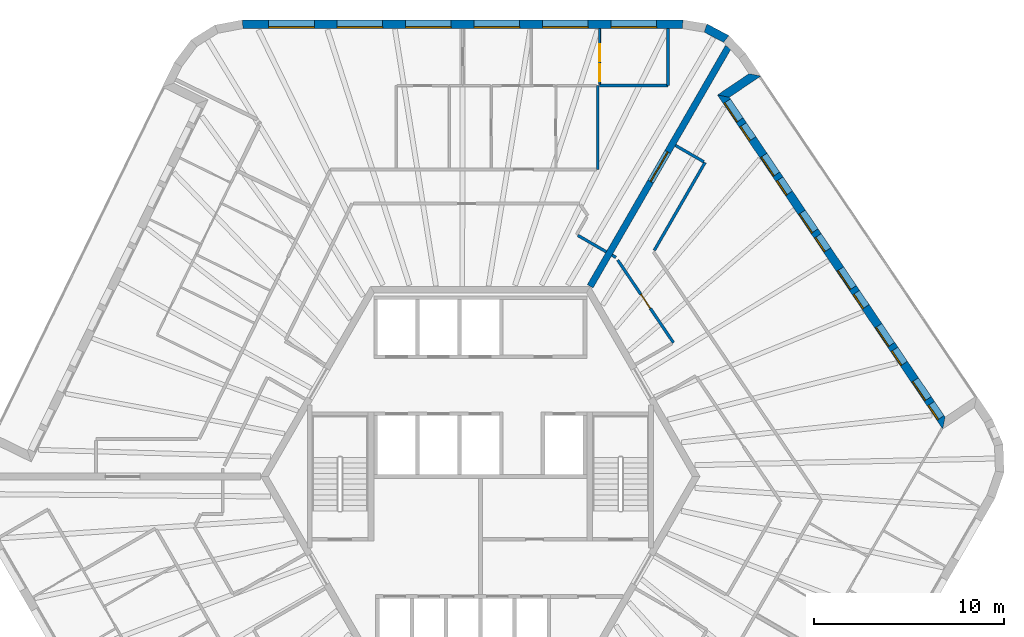
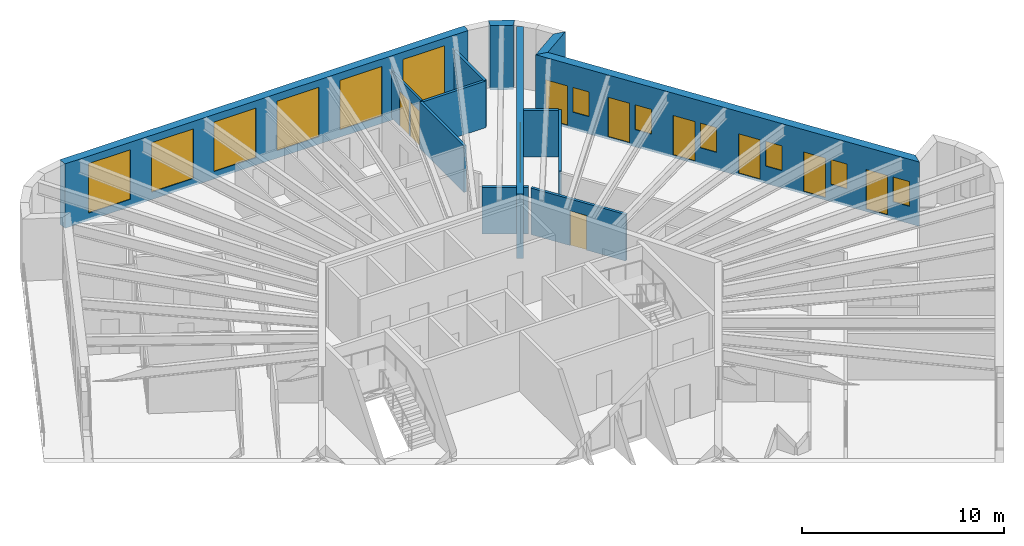
# One storey, part 9 of 11: 14 walls, 12 windows, 10 doors, 22 openings.
"""IFC4 building model written with IfcOpenShell, lengths in metres."""

from ifc_helpers import new_model, si_unit, direction, frame, frame_2d, origin, place, context, subcontext, project, spatial, polyline, rectangle, outline, extrude, material, layer, layer_set, type_object, element, fill, save


model = new_model("IFC4")

# Units and contexts
model_context = context("Model", 3, precision=1e-05, world=origin(), true_north=direction((0.0, 1.0)))
body_context = subcontext(model_context, "Body", "Model", "MODEL_VIEW")
ifc_project = project(units=[si_unit("LENGTHUNIT", "METRE"), si_unit("AREAUNIT", "SQUARE_METRE"), si_unit("VOLUMEUNIT", "CUBIC_METRE"), si_unit("PLANEANGLEUNIT", "RADIAN"), si_unit("MASSUNIT", "GRAM", prefix="KILO")], contexts=[model_context])

# Site, building, storey
site_placement = place(None, origin())
site = spatial("IfcSite", under=ifc_project, at=site_placement, CompositionType="ELEMENT")
building_placement = place(site_placement, origin())
building = spatial("IfcBuilding", under=site, at=building_placement, Name="Tarnside Tower", CompositionType="ELEMENT")
storey_placement = place(building_placement, frame((0.0, 0.0, 365.10009765625)))
storey = spatial("IfcBuildingStorey", under=building, at=storey_placement, Name="L88", CompositionType="ELEMENT", Elevation=365.10009765625)

# Wall, opening, door
ifc_material_1 = material(Name="Concrete C50/60", Category="concrete")
ifc_layer_1 = layer(ifc_material_1, 0.35009765625)
ifc_layer_set_1 = layer_set([ifc_layer_1], Name="Core wall Z4 350 C50/60")
wall_type_1 = type_object("IfcWallType", Name="Core wall Z4 350 C50/60", PredefinedType="SHEAR", material=ifc_layer_set_1)
wall_1_placement = place(storey_placement, frame((5.7734375, 10.0, -0.150146484375), z_axis=(0.0, 0.0, 1.0), x_axis=(0.500007911273, 0.866020836161, 0.0)))
wall_1 = element("IfcWall", 1, at=wall_1_placement, inside=storey, type_object=wall_type_1, Name="L88 spine wall 1", PredefinedType="SHEAR", context=body_context, shape_type="SweptSolid", body=[
    extrude(rectangle(XDim=14.510498046875, YDim=0.35009765625, at=frame_2d((7.25537109375, 0.0))), origin(), (0.0, 0.0, 1.0), 3.900146484375),
])
opening_1_placement = place(wall_1_placement, frame((6.355224609375, 0.0, 0.14990234375)))
opening_1 = element("IfcOpeningElement", 2, at=opening_1_placement, cuts=wall_1, Name="Opening CD-SPN", PredefinedType="OPENING", context=body_context, shape_type="SweptSolid", body=[
    extrude(rectangle(XDim=1.800048828125, YDim=2.39990234375, at=frame_2d((0.89990234375, 1.199951171875))), frame((0.0, 0.18505859375, 0.0), z_axis=(0.0, -1.0, 0.0), x_axis=(1.0, 0.0, 0.0)), (0.0, 0.0, 1.0), 0.3701171875),
])
ifc_material_2 = material(Name="Steel fire door", Category="steel")
door_type_1 = type_object("IfcDoorType", Name="Spine passage double door FD60 1800x2400", OperationType="NOTDEFINED", PredefinedType="DOOR", material=ifc_material_2)
door_1_placement = place(opening_1_placement, origin())
door_1 = element("IfcDoor", 3, at=door_1_placement, inside=storey, type_object=door_type_1, Name="L88 spine passage door 1", OperationType="DOUBLE_DOOR_SINGLE_SWING", OverallHeight=2.39990234375, OverallWidth=1.800048828125, PredefinedType="DOOR", context=body_context, shape_type="SweptSolid", body=[
    extrude(rectangle(XDim=1.800048828125, YDim=2.39990234375, at=frame_2d((0.89990234375, 1.199951171875))), frame((0.0, 0.02490234375, 0.0), z_axis=(0.0, -1.0, 0.0), x_axis=(1.0, 0.0, 0.0)), (0.0, 0.0, 1.0), 0.050048828125),
])
fill(opening_1, door_1)

# Walls
ifc_material_3 = material(Name="Gypsum board partition on steel studs", Category="steel")
ifc_layer_2 = layer(ifc_material_3, 0.14990234375)
ifc_layer_set_2 = layer_set([ifc_layer_2], Name="Corridor wall 150 EI 60")
wall_type_2 = type_object("IfcWallType", Name="Corridor wall 150 EI 60", PredefinedType="PARTITIONING", material=ifc_layer_set_2)
wall_2_placement = place(storey_placement, frame((6.174560546875, 20.550048828125, 0.0), z_axis=(0.0, 0.0, 1.0), x_axis=(0.0, -1.0, 0.0)))
element("IfcWall", 4, at=wall_2_placement, inside=storey, type_object=wall_type_2, Name="Corridor wall 28004", PredefinedType="PARTITIONING", context=body_context, shape_type="SweptSolid", body=[
    extrude(rectangle(XDim=4.400146484375, YDim=0.14990234375, at=frame_2d((2.2001953125, 0.0))), origin(), (0.0, 0.0, 1.0), 2.81982421875),
])
wall_3_placement = place(storey_placement, frame((9.8671875, 20.550048828125, 0.0), z_axis=(0.0, 0.0, 1.0), x_axis=(-1.0, 0.0, 0.0)))
element("IfcWall", 5, at=wall_3_placement, inside=storey, type_object=wall_type_2, Name="Corridor wall 28006", PredefinedType="PARTITIONING", context=body_context, shape_type="SweptSolid", body=[
    extrude(rectangle(XDim=3.598876953125, YDim=0.14990234375, at=frame_2d((1.79931640625, 0.0))), origin(), (0.0, 0.0, 1.0), 2.81982421875),
])
wall_4_placement = place(storey_placement, frame((9.868408203125, 23.550048828125, 0.0), z_axis=(0.0, 0.0, 1.0), x_axis=(0.0, -1.0, 0.0)))
element("IfcWall", 6, at=wall_4_placement, inside=storey, type_object=wall_type_2, Name="Corridor wall 28007", PredefinedType="PARTITIONING", context=body_context, shape_type="SweptSolid", body=[
    extrude(rectangle(XDim=2.998779296875, YDim=0.14990234375, at=frame_2d((1.49951171875, 0.0))), origin(), (0.0, 0.0, 1.0), 2.81982421875),
])
wall_5_placement = place(storey_placement, frame((5.124755859375, 12.676513671875, 0.0), z_axis=(0.0, 0.0, 1.0), x_axis=(0.866013532718, -0.500020560727, 0.0)))
element("IfcWall", 7, at=wall_5_placement, inside=storey, type_object=wall_type_2, Name="Corridor wall 28025", PredefinedType="PARTITIONING", context=body_context, shape_type="SweptSolid", body=[
    extrude(rectangle(XDim=1.72509765625, YDim=0.14990234375, at=frame_2d((0.862548828125, 0.0))), origin(), (0.0, 0.0, 1.0), 2.81982421875),
])
wall_6_placement = place(storey_placement, frame((9.14208984375, 11.884765625, 0.0), z_axis=(0.0, 0.0, 1.0), x_axis=(0.500004822225, 0.866022619654, 0.0)))
element("IfcWall", 8, at=wall_6_placement, inside=storey, type_object=wall_type_2, Name="Corridor wall 28055", PredefinedType="PARTITIONING", context=body_context, shape_type="SweptSolid", body=[
    extrude(rectangle(XDim=5.3388671875, YDim=0.14990234375, at=frame_2d((2.66943359375, 0.0))), origin(), (0.0, 0.0, 1.0), 2.81982421875),
])
wall_7_placement = place(storey_placement, frame((11.74658203125, 16.545654296875, 0.0), z_axis=(0.0, 0.0, 1.0), x_axis=(-0.866013532718, 0.500020560727, 0.0)))
element("IfcWall", 9, at=wall_7_placement, inside=storey, type_object=wall_type_2, Name="Corridor wall 28056", PredefinedType="PARTITIONING", context=body_context, shape_type="SweptSolid", body=[
    extrude(rectangle(XDim=1.72509765625, YDim=0.14990234375, at=frame_2d((0.862548828125, 0.0))), origin(), (0.0, 0.0, 1.0), 2.81982421875),
])
wall_8_placement = place(storey_placement, frame((6.921875, 11.638916015625, 0.0), z_axis=(0.0, 0.0, 1.0), x_axis=(0.866254745882, -0.499602557277, 0.0)))
element("IfcWall", 10, at=wall_8_placement, inside=storey, type_object=wall_type_2, Name="Corridor wall 28068", PredefinedType="PARTITIONING", context=body_context, shape_type="SweptSolid", body=[
    extrude(rectangle(XDim=0.235107421875, YDim=0.14990234375, at=frame_2d((0.11767578125, 0.0))), origin(), (0.0, 0.0, 1.0), 2.81982421875),
])

# Wall, opening, door
wall_9_placement = place(storey_placement, frame((7.22119140625, 11.379638671875, 0.0), z_axis=(0.0, 0.0, 1.0), x_axis=(0.559200548931, -0.829032415576, 0.0)))
wall_9 = element("IfcWall", 11, at=wall_9_placement, inside=storey, type_object=wall_type_2, Name="Corridor wall 28069", PredefinedType="PARTITIONING", context=body_context, shape_type="SweptSolid", body=[
    extrude(rectangle(XDim=5.236083984375, YDim=0.14990234375, at=frame_2d((2.6181640625, 0.0))), origin(), (0.0, 0.0, 1.0), 2.81982421875),
])
opening_2_placement = place(wall_9_placement, frame((2.16796875, 0.0, 0.0)))
opening_2 = element("IfcOpeningElement", 12, at=opening_2_placement, cuts=wall_9, Name="Opening D-S1", PredefinedType="OPENING", context=body_context, shape_type="SweptSolid", body=[
    extrude(rectangle(XDim=0.89990234375, YDim=2.10009765625, at=frame_2d((0.449951171875, 1.050048828125))), frame((0.0, 0.0849609375, 0.0), z_axis=(0.0, -1.0, 0.0), x_axis=(1.0, 0.0, 0.0)), (0.0, 0.0, 1.0), 0.169921875),
])
ifc_material_4 = material(Name="Timber door leaf", Category="wood")
door_type_2 = type_object("IfcDoorType", Name="Service room door 900 FD30S", OperationType="NOTDEFINED", PredefinedType="DOOR", material=ifc_material_4)
door_2_placement = place(opening_2_placement, origin())
door_2 = element("IfcDoor", 13, at=door_2_placement, inside=storey, type_object=door_type_2, Name="Service door 28069", OperationType="SINGLE_SWING_RIGHT", OverallHeight=2.10009765625, OverallWidth=0.89990234375, PredefinedType="DOOR", context=body_context, shape_type="SweptSolid", body=[
    extrude(rectangle(XDim=0.89990234375, YDim=2.10009765625, at=frame_2d((0.449951171875, 1.050048828125))), frame((0.0, 0.02490234375, 0.0), z_axis=(0.0, -1.0, 0.0), x_axis=(1.0, 0.0, 0.0)), (0.0, 0.0, 1.0), 0.050048828125),
])
fill(opening_2, door_2)

# Wall, openings, doors, windows
ifc_material_5 = material(Name="Dark zinc cladding")
ifc_layer_3 = layer(ifc_material_5, 0.10205078125)
ifc_material_6 = material(Name="Concrete C60/75 precast", Category="concrete")
ifc_layer_4 = layer(ifc_material_6, 0.248046875)
ifc_material_7 = material(Name="Mineral wool insulation")
ifc_layer_5 = layer(ifc_material_7, 0.10009765625)
ifc_layer_set_3 = layer_set([ifc_layer_3, ifc_layer_4, ifc_layer_5], Name="Loggia wall 450 zinc faced")
wall_type_3 = type_object("IfcWallType", Name="Loggia wall 450 zinc faced", PredefinedType="SOLIDWALL", material=ifc_layer_set_3)
wall_10_placement = place(storey_placement, frame((24.36962890625, 2.810546875, -0.150146484375), z_axis=(0.0, 0.0, 1.0), x_axis=(-0.559187034749, 0.829041531027, 0.0)))
wall_10 = element("IfcWall", 14, at=wall_10_placement, inside=storey, type_object=wall_type_3, Name="Tube wall L88 F6 back 30", PredefinedType="SOLIDWALL", context=body_context, shape_type="SweptSolid", body=[
    extrude(outline(polyline([(0.224853515625, -0.22509765625), (20.50634765625, -0.22509765625), (20.95654296875, 0.22509765625), (-0.224853515625, 0.22509765625), (0.224853515625, -0.22509765625)])), origin(), (0.0, 0.0, 1.0), 3.900146484375),
])
opening_3_placement = place(wall_10_placement, frame((0.324951171875, 0.0, 1.050048828125)))
opening_3 = element("IfcOpeningElement", 15, at=opening_3_placement, cuts=wall_10, Name="Opening WL450", PredefinedType="OPENING", context=body_context, shape_type="SweptSolid", body=[
    extrude(rectangle(XDim=0.89990234375, YDim=1.5, at=frame_2d((0.449951171875, 0.75))), frame((0.0, 0.23486328125, 0.0), z_axis=(0.0, -1.0, 0.0), x_axis=(1.0, 0.0, 0.0)), (0.0, 0.0, 1.0), 0.469970703125),
])
opening_4_placement = place(wall_10_placement, frame((1.52490234375, 0.0, 0.14990234375)))
opening_4 = element("IfcOpeningElement", 16, at=opening_4_placement, cuts=wall_10, Name="Opening DB450", PredefinedType="OPENING", context=body_context, shape_type="SweptSolid", body=[
    extrude(rectangle(XDim=1.199951171875, YDim=2.39990234375, at=frame_2d((0.60009765625, 1.199951171875))), frame((0.0, 0.23486328125, 0.0), z_axis=(0.0, -1.0, 0.0), x_axis=(1.0, 0.0, 0.0)), (0.0, 0.0, 1.0), 0.469970703125),
])
opening_5_placement = place(wall_10_placement, frame((3.765869140625, 0.0, 1.050048828125)))
opening_5 = element("IfcOpeningElement", 17, at=opening_5_placement, cuts=wall_10, Name="Opening WL450", PredefinedType="OPENING", context=body_context, shape_type="SweptSolid", body=[
    extrude(rectangle(XDim=0.89990234375, YDim=1.5, at=frame_2d((0.449951171875, 0.75))), frame((0.0, 0.23486328125, 0.0), z_axis=(0.0, -1.0, 0.0), x_axis=(1.0, 0.0, 0.0)), (0.0, 0.0, 1.0), 0.469970703125),
])
opening_6_placement = place(wall_10_placement, frame((4.9658203125, 0.0, 0.14990234375)))
opening_6 = element("IfcOpeningElement", 18, at=opening_6_placement, cuts=wall_10, Name="Opening DB450", PredefinedType="OPENING", context=body_context, shape_type="SweptSolid", body=[
    extrude(rectangle(XDim=1.199951171875, YDim=2.39990234375, at=frame_2d((0.60009765625, 1.199951171875))), frame((0.0, 0.23486328125, 0.0), z_axis=(0.0, -1.0, 0.0), x_axis=(1.0, 0.0, 0.0)), (0.0, 0.0, 1.0), 0.469970703125),
])
opening_7_placement = place(wall_10_placement, frame((7.36572265625, 0.0, 1.050048828125)))
opening_7 = element("IfcOpeningElement", 19, at=opening_7_placement, cuts=wall_10, Name="Opening WL450", PredefinedType="OPENING", context=body_context, shape_type="SweptSolid", body=[
    extrude(rectangle(XDim=0.89990234375, YDim=1.5, at=frame_2d((0.449951171875, 0.75))), frame((0.0, 0.23486328125, 0.0), z_axis=(0.0, -1.0, 0.0), x_axis=(1.0, 0.0, 0.0)), (0.0, 0.0, 1.0), 0.469970703125),
])
opening_8_placement = place(wall_10_placement, frame((8.56591796875, 0.0, 0.14990234375)))
opening_8 = element("IfcOpeningElement", 20, at=opening_8_placement, cuts=wall_10, Name="Opening DB450", PredefinedType="OPENING", context=body_context, shape_type="SweptSolid", body=[
    extrude(rectangle(XDim=1.199951171875, YDim=2.39990234375, at=frame_2d((0.60009765625, 1.199951171875))), frame((0.0, 0.23486328125, 0.0), z_axis=(0.0, -1.0, 0.0), x_axis=(1.0, 0.0, 0.0)), (0.0, 0.0, 1.0), 0.469970703125),
])
opening_9_placement = place(wall_10_placement, frame((10.9658203125, 0.0, 1.050048828125)))
opening_9 = element("IfcOpeningElement", 21, at=opening_9_placement, cuts=wall_10, Name="Opening WL450", PredefinedType="OPENING", context=body_context, shape_type="SweptSolid", body=[
    extrude(rectangle(XDim=0.89990234375, YDim=1.5, at=frame_2d((0.449951171875, 0.75))), frame((0.0, 0.23486328125, 0.0), z_axis=(0.0, -1.0, 0.0), x_axis=(1.0, 0.0, 0.0)), (0.0, 0.0, 1.0), 0.469970703125),
])
opening_10_placement = place(wall_10_placement, frame((12.165771484375, 0.0, 0.14990234375)))
opening_10 = element("IfcOpeningElement", 22, at=opening_10_placement, cuts=wall_10, Name="Opening DB450", PredefinedType="OPENING", context=body_context, shape_type="SweptSolid", body=[
    extrude(rectangle(XDim=1.199951171875, YDim=2.39990234375, at=frame_2d((0.60009765625, 1.199951171875))), frame((0.0, 0.23486328125, 0.0), z_axis=(0.0, -1.0, 0.0), x_axis=(1.0, 0.0, 0.0)), (0.0, 0.0, 1.0), 0.469970703125),
])
opening_11_placement = place(wall_10_placement, frame((14.56591796875, 0.0, 1.050048828125)))
opening_11 = element("IfcOpeningElement", 23, at=opening_11_placement, cuts=wall_10, Name="Opening WL450", PredefinedType="OPENING", context=body_context, shape_type="SweptSolid", body=[
    extrude(rectangle(XDim=0.89990234375, YDim=1.5, at=frame_2d((0.449951171875, 0.75))), frame((0.0, 0.23486328125, 0.0), z_axis=(0.0, -1.0, 0.0), x_axis=(1.0, 0.0, 0.0)), (0.0, 0.0, 1.0), 0.469970703125),
])
opening_12_placement = place(wall_10_placement, frame((15.765869140625, 0.0, 0.14990234375)))
opening_12 = element("IfcOpeningElement", 24, at=opening_12_placement, cuts=wall_10, Name="Opening DB450", PredefinedType="OPENING", context=body_context, shape_type="SweptSolid", body=[
    extrude(rectangle(XDim=1.199951171875, YDim=2.39990234375, at=frame_2d((0.60009765625, 1.199951171875))), frame((0.0, 0.23486328125, 0.0), z_axis=(0.0, -1.0, 0.0), x_axis=(1.0, 0.0, 0.0)), (0.0, 0.0, 1.0), 0.469970703125),
])
opening_13_placement = place(wall_10_placement, frame((18.006591796875, 0.0, 1.050048828125)))
opening_13 = element("IfcOpeningElement", 25, at=opening_13_placement, cuts=wall_10, Name="Opening WL450", PredefinedType="OPENING", context=body_context, shape_type="SweptSolid", body=[
    extrude(rectangle(XDim=0.89990234375, YDim=1.5, at=frame_2d((0.449951171875, 0.75))), frame((0.0, 0.23486328125, 0.0), z_axis=(0.0, -1.0, 0.0), x_axis=(1.0, 0.0, 0.0)), (0.0, 0.0, 1.0), 0.469970703125),
])
opening_14_placement = place(wall_10_placement, frame((19.20654296875, 0.0, 0.14990234375)))
opening_14 = element("IfcOpeningElement", 26, at=opening_14_placement, cuts=wall_10, Name="Opening DB450", PredefinedType="OPENING", context=body_context, shape_type="SweptSolid", body=[
    extrude(rectangle(XDim=1.199951171875, YDim=2.39990234375, at=frame_2d((0.60009765625, 1.199951171875))), frame((0.0, 0.23486328125, 0.0), z_axis=(0.0, -1.0, 0.0), x_axis=(1.0, 0.0, 0.0)), (0.0, 0.0, 1.0), 0.469970703125),
])
ifc_material_8 = material(Name="Aluminium-framed double glazing", Category="aluminium")
door_type_3 = type_object("IfcDoorType", Name="Balcony sliding door 1200 x 2400 in 450 wall", OperationType="SLIDING_TO_LEFT", PredefinedType="DOOR", material=ifc_material_8)
door_3_placement = place(opening_4_placement, frame((0.0, 0.150146484375, 0.0)))
door_3 = element("IfcDoor", 27, at=door_3_placement, inside=storey, type_object=door_type_3, Name="E.BD.L88.F6.00", OperationType="SLIDING_TO_LEFT", OverallHeight=2.39990234375, OverallWidth=1.199951171875, PredefinedType="DOOR", context=body_context, shape_type="SweptSolid", body=[
    extrude(rectangle(XDim=1.199951171875, YDim=2.39990234375, at=frame_2d((0.60009765625, 1.199951171875))), frame((0.0, 0.02490234375, 0.0), z_axis=(0.0, -1.0, 0.0), x_axis=(1.0, 0.0, 0.0)), (0.0, 0.0, 1.0), 0.050048828125),
])
fill(opening_4, door_3)
door_4_placement = place(opening_6_placement, frame((0.0, 0.150146484375, 0.0)))
door_4 = element("IfcDoor", 28, at=door_4_placement, inside=storey, type_object=door_type_3, Name="E.BD.L88.F6.01", OperationType="SLIDING_TO_LEFT", OverallHeight=2.39990234375, OverallWidth=1.199951171875, PredefinedType="DOOR", context=body_context, shape_type="SweptSolid", body=[
    extrude(rectangle(XDim=1.199951171875, YDim=2.39990234375, at=frame_2d((0.60009765625, 1.199951171875))), frame((0.0, 0.02490234375, 0.0), z_axis=(0.0, -1.0, 0.0), x_axis=(1.0, 0.0, 0.0)), (0.0, 0.0, 1.0), 0.050048828125),
])
fill(opening_6, door_4)
door_5_placement = place(opening_8_placement, frame((0.0, 0.150146484375, 0.0)))
door_5 = element("IfcDoor", 29, at=door_5_placement, inside=storey, type_object=door_type_3, Name="E.BD.L88.F6.02", OperationType="SLIDING_TO_LEFT", OverallHeight=2.39990234375, OverallWidth=1.199951171875, PredefinedType="DOOR", context=body_context, shape_type="SweptSolid", body=[
    extrude(rectangle(XDim=1.199951171875, YDim=2.39990234375, at=frame_2d((0.60009765625, 1.199951171875))), frame((0.0, 0.02490234375, 0.0), z_axis=(0.0, -1.0, 0.0), x_axis=(1.0, 0.0, 0.0)), (0.0, 0.0, 1.0), 0.050048828125),
])
fill(opening_8, door_5)
door_6_placement = place(opening_10_placement, frame((0.0, 0.150146484375, 0.0)))
door_6 = element("IfcDoor", 30, at=door_6_placement, inside=storey, type_object=door_type_3, Name="E.BD.L88.F6.03", OperationType="SLIDING_TO_LEFT", OverallHeight=2.39990234375, OverallWidth=1.199951171875, PredefinedType="DOOR", context=body_context, shape_type="SweptSolid", body=[
    extrude(rectangle(XDim=1.199951171875, YDim=2.39990234375, at=frame_2d((0.60009765625, 1.199951171875))), frame((0.0, 0.02490234375, 0.0), z_axis=(0.0, -1.0, 0.0), x_axis=(1.0, 0.0, 0.0)), (0.0, 0.0, 1.0), 0.050048828125),
])
fill(opening_10, door_6)
door_7_placement = place(opening_12_placement, frame((0.0, 0.150146484375, 0.0)))
door_7 = element("IfcDoor", 31, at=door_7_placement, inside=storey, type_object=door_type_3, Name="E.BD.L88.F6.04", OperationType="SLIDING_TO_LEFT", OverallHeight=2.39990234375, OverallWidth=1.199951171875, PredefinedType="DOOR", context=body_context, shape_type="SweptSolid", body=[
    extrude(rectangle(XDim=1.199951171875, YDim=2.39990234375, at=frame_2d((0.60009765625, 1.199951171875))), frame((0.0, 0.02490234375, 0.0), z_axis=(0.0, -1.0, 0.0), x_axis=(1.0, 0.0, 0.0)), (0.0, 0.0, 1.0), 0.050048828125),
])
fill(opening_12, door_7)
door_8_placement = place(opening_14_placement, frame((0.0, 0.150146484375, 0.0)))
door_8 = element("IfcDoor", 32, at=door_8_placement, inside=storey, type_object=door_type_3, Name="E.BD.L88.F6.05", OperationType="SLIDING_TO_LEFT", OverallHeight=2.39990234375, OverallWidth=1.199951171875, PredefinedType="DOOR", context=body_context, shape_type="SweptSolid", body=[
    extrude(rectangle(XDim=1.199951171875, YDim=2.39990234375, at=frame_2d((0.60009765625, 1.199951171875))), frame((0.0, 0.02490234375, 0.0), z_axis=(0.0, -1.0, 0.0), x_axis=(1.0, 0.0, 0.0)), (0.0, 0.0, 1.0), 0.050048828125),
])
fill(opening_14, door_8)
window_type_1 = type_object("IfcWindowType", Name="Loggia window 900 x 1500 in 450 wall", PartitioningType="SINGLE_PANEL", PredefinedType="WINDOW", material=ifc_material_8)
window_1_placement = place(opening_3_placement, frame((0.0, 0.1552734375, 0.0)))
window_1 = element("IfcWindow", 33, at=window_1_placement, inside=storey, type_object=window_type_1, Name="E.LW.L88.F6.00", OverallHeight=1.5, OverallWidth=0.89990234375, PartitioningType="SINGLE_PANEL", PredefinedType="WINDOW", context=body_context, shape_type="SweptSolid", body=[
    extrude(rectangle(XDim=0.89990234375, YDim=1.5, at=frame_2d((0.449951171875, 0.75))), frame((0.0, 0.030029296875, 0.0), z_axis=(0.0, -1.0, 0.0), x_axis=(1.0, 0.0, 0.0)), (0.0, 0.0, 1.0), 0.06005859375),
])
fill(opening_3, window_1)
window_2_placement = place(opening_5_placement, frame((0.0, 0.1552734375, 0.0)))
window_2 = element("IfcWindow", 34, at=window_2_placement, inside=storey, type_object=window_type_1, Name="E.LW.L88.F6.01", OverallHeight=1.5, OverallWidth=0.89990234375, PartitioningType="SINGLE_PANEL", PredefinedType="WINDOW", context=body_context, shape_type="SweptSolid", body=[
    extrude(rectangle(XDim=0.89990234375, YDim=1.5, at=frame_2d((0.449951171875, 0.75))), frame((0.0, 0.030029296875, 0.0), z_axis=(0.0, -1.0, 0.0), x_axis=(1.0, 0.0, 0.0)), (0.0, 0.0, 1.0), 0.06005859375),
])
fill(opening_5, window_2)
window_3_placement = place(opening_7_placement, frame((0.0, 0.1552734375, 0.0)))
window_3 = element("IfcWindow", 35, at=window_3_placement, inside=storey, type_object=window_type_1, Name="E.LW.L88.F6.02", OverallHeight=1.5, OverallWidth=0.89990234375, PartitioningType="SINGLE_PANEL", PredefinedType="WINDOW", context=body_context, shape_type="SweptSolid", body=[
    extrude(rectangle(XDim=0.89990234375, YDim=1.5, at=frame_2d((0.449951171875, 0.75))), frame((0.0, 0.030029296875, 0.0), z_axis=(0.0, -1.0, 0.0), x_axis=(1.0, 0.0, 0.0)), (0.0, 0.0, 1.0), 0.06005859375),
])
fill(opening_7, window_3)
window_4_placement = place(opening_9_placement, frame((0.0, 0.1552734375, 0.0)))
window_4 = element("IfcWindow", 36, at=window_4_placement, inside=storey, type_object=window_type_1, Name="E.LW.L88.F6.03", OverallHeight=1.5, OverallWidth=0.89990234375, PartitioningType="SINGLE_PANEL", PredefinedType="WINDOW", context=body_context, shape_type="SweptSolid", body=[
    extrude(rectangle(XDim=0.89990234375, YDim=1.5, at=frame_2d((0.449951171875, 0.75))), frame((0.0, 0.030029296875, 0.0), z_axis=(0.0, -1.0, 0.0), x_axis=(1.0, 0.0, 0.0)), (0.0, 0.0, 1.0), 0.06005859375),
])
fill(opening_9, window_4)
window_5_placement = place(opening_11_placement, frame((0.0, 0.1552734375, 0.0)))
window_5 = element("IfcWindow", 37, at=window_5_placement, inside=storey, type_object=window_type_1, Name="E.LW.L88.F6.04", OverallHeight=1.5, OverallWidth=0.89990234375, PartitioningType="SINGLE_PANEL", PredefinedType="WINDOW", context=body_context, shape_type="SweptSolid", body=[
    extrude(rectangle(XDim=0.89990234375, YDim=1.5, at=frame_2d((0.449951171875, 0.75))), frame((0.0, 0.030029296875, 0.0), z_axis=(0.0, -1.0, 0.0), x_axis=(1.0, 0.0, 0.0)), (0.0, 0.0, 1.0), 0.06005859375),
])
fill(opening_11, window_5)
window_6_placement = place(opening_13_placement, frame((0.0, 0.1552734375, 0.0)))
window_6 = element("IfcWindow", 38, at=window_6_placement, inside=storey, type_object=window_type_1, Name="E.LW.L88.F6.05", OverallHeight=1.5, OverallWidth=0.89990234375, PartitioningType="SINGLE_PANEL", PredefinedType="WINDOW", context=body_context, shape_type="SweptSolid", body=[
    extrude(rectangle(XDim=0.89990234375, YDim=1.5, at=frame_2d((0.449951171875, 0.75))), frame((0.0, 0.030029296875, 0.0), z_axis=(0.0, -1.0, 0.0), x_axis=(1.0, 0.0, 0.0)), (0.0, 0.0, 1.0), 0.06005859375),
])
fill(opening_13, window_6)

# Wall
wall_11_placement = place(storey_placement, frame((12.77685546875, 19.997802734375, -0.150146484375), z_axis=(0.0, 0.0, 1.0), x_axis=(0.829014217969, 0.559227526508, 0.0)))
element("IfcWall", 39, at=wall_11_placement, inside=storey, type_object=wall_type_3, Name="Tube wall L88 F6 return 31", PredefinedType="SOLIDWALL", context=body_context, shape_type="SweptSolid", body=[
    extrude(outline(polyline([(0.224853515625, -0.22509765625), (2.22509765625, -0.22509765625), (1.77490234375, 0.22509765625), (-0.224853515625, 0.22509765625), (0.224853515625, -0.22509765625)])), origin(), (0.0, 0.0, 1.0), 3.900146484375),
])

# Wall, openings, doors
ifc_layer_6 = layer(ifc_material_3, 0.10009765625)
ifc_layer_set_4 = layer_set([ifc_layer_6], Name="Partition 100")
wall_type_4 = type_object("IfcWallType", Name="Partition 100", PredefinedType="PARTITIONING", material=ifc_layer_set_4)
wall_12_placement = place(storey_placement, frame((6.268310546875, 23.550048828125, 0.0), z_axis=(0.0, 0.0, 1.0), x_axis=(0.0, -1.0, 0.0)))
wall_12 = element("IfcWall", 40, at=wall_12_placement, inside=storey, type_object=wall_type_4, Name="Partition wall 28084", PredefinedType="PARTITIONING", context=body_context, shape_type="SweptSolid", body=[
    extrude(rectangle(XDim=2.925048828125, YDim=0.10009765625, at=frame_2d((1.46240234375, 0.0))), origin(), (0.0, 0.0, 1.0), 2.81982421875),
])
opening_15_placement = place(wall_12_placement, frame((1.875, 0.0, 0.0)))
opening_15 = element("IfcOpeningElement", 41, at=opening_15_placement, cuts=wall_12, Name="Opening D-I1", PredefinedType="OPENING", context=body_context, shape_type="SweptSolid", body=[
    extrude(rectangle(XDim=0.89990234375, YDim=2.10009765625, at=frame_2d((0.449951171875, 1.050048828125))), frame((0.0, 0.06005859375, 0.0), z_axis=(0.0, -1.0, 0.0), x_axis=(1.0, 0.0, 0.0)), (0.0, 0.0, 1.0), 0.1201171875),
])
opening_16_placement = place(wall_12_placement, frame((0.824951171875, 0.0, 0.0)))
opening_16 = element("IfcOpeningElement", 42, at=opening_16_placement, cuts=wall_12, Name="Opening D-I1", PredefinedType="OPENING", context=body_context, shape_type="SweptSolid", body=[
    extrude(rectangle(XDim=0.89990234375, YDim=2.10009765625, at=frame_2d((0.449951171875, 1.050048828125))), frame((0.0, 0.06005859375, 0.0), z_axis=(0.0, -1.0, 0.0), x_axis=(1.0, 0.0, 0.0)), (0.0, 0.0, 1.0), 0.1201171875),
])
door_type_4 = type_object("IfcDoorType", Name="Internal door 900", OperationType="NOTDEFINED", PredefinedType="DOOR", material=ifc_material_4)
door_9_placement = place(opening_15_placement, origin())
door_9 = element("IfcDoor", 43, at=door_9_placement, inside=storey, type_object=door_type_4, Name="Internal door 28008", OperationType="SINGLE_SWING_RIGHT", OverallHeight=2.10009765625, OverallWidth=0.89990234375, PredefinedType="DOOR", context=body_context, shape_type="SweptSolid", body=[
    extrude(rectangle(XDim=0.89990234375, YDim=2.10009765625, at=frame_2d((0.449951171875, 1.050048828125))), frame((0.0, 0.02490234375, 0.0), z_axis=(0.0, -1.0, 0.0), x_axis=(1.0, 0.0, 0.0)), (0.0, 0.0, 1.0), 0.050048828125),
])
fill(opening_15, door_9)
door_10_placement = place(opening_16_placement, origin())
door_10 = element("IfcDoor", 44, at=door_10_placement, inside=storey, type_object=door_type_4, Name="Internal door 28011", OperationType="SINGLE_SWING_RIGHT", OverallHeight=2.10009765625, OverallWidth=0.89990234375, PredefinedType="DOOR", context=body_context, shape_type="SweptSolid", body=[
    extrude(rectangle(XDim=0.89990234375, YDim=2.10009765625, at=frame_2d((0.449951171875, 1.050048828125))), frame((0.0, 0.02490234375, 0.0), z_axis=(0.0, -1.0, 0.0), x_axis=(1.0, 0.0, 0.0)), (0.0, 0.0, 1.0), 0.050048828125),
])
fill(opening_16, door_10)

# Wall, openings, windows
ifc_material_9 = material(Name="Facing brick", Category="masonry")
ifc_layer_7 = layer(ifc_material_9, 0.10205078125)
ifc_layer_8 = layer(ifc_material_6, 0.248046875)
ifc_layer_9 = layer(ifc_material_7, 0.10009765625)
ifc_layer_set_5 = layer_set([ifc_layer_7, ifc_layer_8, ifc_layer_9], Name="Tube wall 450 brick faced")
wall_type_5 = type_object("IfcWallType", Name="Tube wall 450 brick faced", PredefinedType="SOLIDWALL", material=ifc_layer_set_5)
wall_13_placement = place(storey_placement, frame((10.63427734375, 23.77490234375, -0.150146484375), z_axis=(0.0, 0.0, 1.0), x_axis=(-1.0, 0.0, 0.0)))
wall_13 = element("IfcWall", 45, at=wall_13_placement, inside=storey, type_object=wall_type_5, Name="Tube wall L88 F1 flush 00", PredefinedType="SOLIDWALL", context=body_context, shape_type="SweptSolid", body=[
    extrude(outline(polyline([(-0.018310546875, -0.22509765625), (23.152587890625, -0.22509765625), (23.110595703125, 0.22509765625), (0.018310546875, 0.22509765625), (-0.018310546875, -0.22509765625)])), origin(), (0.0, 0.0, 1.0), 3.900146484375),
])
opening_17_placement = place(wall_13_placement, frame((1.36572265625, 0.0, 0.449951171875)))
opening_17 = element("IfcOpeningElement", 46, at=opening_17_placement, cuts=wall_13, Name="Opening WP", PredefinedType="OPENING", context=body_context, shape_type="SweptSolid", body=[
    extrude(rectangle(XDim=2.39990234375, YDim=3.0, at=frame_2d((1.199951171875, 1.5))), frame((0.0, 0.23486328125, 0.0), z_axis=(0.0, -1.0, 0.0), x_axis=(1.0, 0.0, 0.0)), (0.0, 0.0, 1.0), 0.469970703125),
])
opening_18_placement = place(wall_13_placement, frame((4.9658203125, 0.0, 0.449951171875)))
opening_18 = element("IfcOpeningElement", 47, at=opening_18_placement, cuts=wall_13, Name="Opening WP", PredefinedType="OPENING", context=body_context, shape_type="SweptSolid", body=[
    extrude(rectangle(XDim=2.39990234375, YDim=3.0, at=frame_2d((1.199951171875, 1.5))), frame((0.0, 0.23486328125, 0.0), z_axis=(0.0, -1.0, 0.0), x_axis=(1.0, 0.0, 0.0)), (0.0, 0.0, 1.0), 0.469970703125),
])
opening_19_placement = place(wall_13_placement, frame((8.56591796875, 0.0, 0.449951171875)))
opening_19 = element("IfcOpeningElement", 48, at=opening_19_placement, cuts=wall_13, Name="Opening WP", PredefinedType="OPENING", context=body_context, shape_type="SweptSolid", body=[
    extrude(rectangle(XDim=2.39990234375, YDim=3.0, at=frame_2d((1.199951171875, 1.5))), frame((0.0, 0.23486328125, 0.0), z_axis=(0.0, -1.0, 0.0), x_axis=(1.0, 0.0, 0.0)), (0.0, 0.0, 1.0), 0.469970703125),
])
opening_20_placement = place(wall_13_placement, frame((12.165771484375, 0.0, 0.449951171875)))
opening_20 = element("IfcOpeningElement", 49, at=opening_20_placement, cuts=wall_13, Name="Opening WP", PredefinedType="OPENING", context=body_context, shape_type="SweptSolid", body=[
    extrude(rectangle(XDim=2.39990234375, YDim=3.0, at=frame_2d((1.199951171875, 1.5))), frame((0.0, 0.23486328125, 0.0), z_axis=(0.0, -1.0, 0.0), x_axis=(1.0, 0.0, 0.0)), (0.0, 0.0, 1.0), 0.469970703125),
])
opening_21_placement = place(wall_13_placement, frame((15.765869140625, 0.0, 0.449951171875)))
opening_21 = element("IfcOpeningElement", 50, at=opening_21_placement, cuts=wall_13, Name="Opening WP", PredefinedType="OPENING", context=body_context, shape_type="SweptSolid", body=[
    extrude(rectangle(XDim=2.39990234375, YDim=3.0, at=frame_2d((1.199951171875, 1.5))), frame((0.0, 0.23486328125, 0.0), z_axis=(0.0, -1.0, 0.0), x_axis=(1.0, 0.0, 0.0)), (0.0, 0.0, 1.0), 0.469970703125),
])
opening_22_placement = place(wall_13_placement, frame((19.36572265625, 0.0, 0.449951171875)))
opening_22 = element("IfcOpeningElement", 51, at=opening_22_placement, cuts=wall_13, Name="Opening WP", PredefinedType="OPENING", context=body_context, shape_type="SweptSolid", body=[
    extrude(rectangle(XDim=2.39990234375, YDim=3.0, at=frame_2d((1.199951171875, 1.5))), frame((0.0, 0.23486328125, 0.0), z_axis=(0.0, -1.0, 0.0), x_axis=(1.0, 0.0, 0.0)), (0.0, 0.0, 1.0), 0.469970703125),
])
window_type_2 = type_object("IfcWindowType", Name="Penthouse window 2400 x 3000", PartitioningType="DOUBLE_PANEL_VERTICAL", PredefinedType="WINDOW", material=ifc_material_8)
window_7_placement = place(opening_17_placement, frame((0.0, 0.1552734375, 0.0)))
window_7 = element("IfcWindow", 52, at=window_7_placement, inside=storey, type_object=window_type_2, Name="E.WN.L88.F1.00", OverallHeight=3.0, OverallWidth=2.39990234375, PartitioningType="DOUBLE_PANEL_VERTICAL", PredefinedType="WINDOW", context=body_context, shape_type="SweptSolid", body=[
    extrude(rectangle(XDim=2.39990234375, YDim=3.0, at=frame_2d((1.199951171875, 1.5))), frame((0.0, 0.030029296875, 0.0), z_axis=(0.0, -1.0, 0.0), x_axis=(1.0, 0.0, 0.0)), (0.0, 0.0, 1.0), 0.06005859375),
])
fill(opening_17, window_7)
window_8_placement = place(opening_18_placement, frame((0.0, 0.1552734375, 0.0)))
window_8 = element("IfcWindow", 53, at=window_8_placement, inside=storey, type_object=window_type_2, Name="E.WN.L88.F1.01", OverallHeight=3.0, OverallWidth=2.39990234375, PartitioningType="DOUBLE_PANEL_VERTICAL", PredefinedType="WINDOW", context=body_context, shape_type="SweptSolid", body=[
    extrude(rectangle(XDim=2.39990234375, YDim=3.0, at=frame_2d((1.199951171875, 1.5))), frame((0.0, 0.030029296875, 0.0), z_axis=(0.0, -1.0, 0.0), x_axis=(1.0, 0.0, 0.0)), (0.0, 0.0, 1.0), 0.06005859375),
])
fill(opening_18, window_8)
window_9_placement = place(opening_19_placement, frame((0.0, 0.1552734375, 0.0)))
window_9 = element("IfcWindow", 54, at=window_9_placement, inside=storey, type_object=window_type_2, Name="E.WN.L88.F1.02", OverallHeight=3.0, OverallWidth=2.39990234375, PartitioningType="DOUBLE_PANEL_VERTICAL", PredefinedType="WINDOW", context=body_context, shape_type="SweptSolid", body=[
    extrude(rectangle(XDim=2.39990234375, YDim=3.0, at=frame_2d((1.199951171875, 1.5))), frame((0.0, 0.030029296875, 0.0), z_axis=(0.0, -1.0, 0.0), x_axis=(1.0, 0.0, 0.0)), (0.0, 0.0, 1.0), 0.06005859375),
])
fill(opening_19, window_9)
window_10_placement = place(opening_20_placement, frame((0.0, 0.1552734375, 0.0)))
window_10 = element("IfcWindow", 55, at=window_10_placement, inside=storey, type_object=window_type_2, Name="E.WN.L88.F1.03", OverallHeight=3.0, OverallWidth=2.39990234375, PartitioningType="DOUBLE_PANEL_VERTICAL", PredefinedType="WINDOW", context=body_context, shape_type="SweptSolid", body=[
    extrude(rectangle(XDim=2.39990234375, YDim=3.0, at=frame_2d((1.199951171875, 1.5))), frame((0.0, 0.030029296875, 0.0), z_axis=(0.0, -1.0, 0.0), x_axis=(1.0, 0.0, 0.0)), (0.0, 0.0, 1.0), 0.06005859375),
])
fill(opening_20, window_10)
window_11_placement = place(opening_21_placement, frame((0.0, 0.1552734375, 0.0)))
window_11 = element("IfcWindow", 56, at=window_11_placement, inside=storey, type_object=window_type_2, Name="E.WN.L88.F1.04", OverallHeight=3.0, OverallWidth=2.39990234375, PartitioningType="DOUBLE_PANEL_VERTICAL", PredefinedType="WINDOW", context=body_context, shape_type="SweptSolid", body=[
    extrude(rectangle(XDim=2.39990234375, YDim=3.0, at=frame_2d((1.199951171875, 1.5))), frame((0.0, 0.030029296875, 0.0), z_axis=(0.0, -1.0, 0.0), x_axis=(1.0, 0.0, 0.0)), (0.0, 0.0, 1.0), 0.06005859375),
])
fill(opening_21, window_11)
window_12_placement = place(opening_22_placement, frame((0.0, 0.1552734375, 0.0)))
window_12 = element("IfcWindow", 57, at=window_12_placement, inside=storey, type_object=window_type_2, Name="E.WN.L88.F1.05", OverallHeight=3.0, OverallWidth=2.39990234375, PartitioningType="DOUBLE_PANEL_VERTICAL", PredefinedType="WINDOW", context=body_context, shape_type="SweptSolid", body=[
    extrude(rectangle(XDim=2.39990234375, YDim=3.0, at=frame_2d((1.199951171875, 1.5))), frame((0.0, 0.030029296875, 0.0), z_axis=(0.0, -1.0, 0.0), x_axis=(1.0, 0.0, 0.0)), (0.0, 0.0, 1.0), 0.06005859375),
])
fill(opening_22, window_12)

# Wall
wall_14_placement = place(storey_placement, frame((12.923583984375, 23.00146484375, -0.150146484375), z_axis=(0.0, 0.0, 1.0), x_axis=(-0.882898771447, 0.469563370993, 0.0)))
element("IfcWall", 58, at=wall_14_placement, inside=storey, type_object=wall_type_5, Name="Tube wall L88 F6 chord 34", PredefinedType="SOLIDWALL", context=body_context, shape_type="SweptSolid", body=[
    extrude(outline(polyline([(-0.036865234375, -0.22509765625), (1.26123046875, -0.22509765625), (1.1875, 0.22509765625), (0.036865234375, 0.22509765625), (-0.036865234375, -0.22509765625)])), origin(), (0.0, 0.0, 1.0), 3.900146484375),
])

save(model, "model.ifc")
